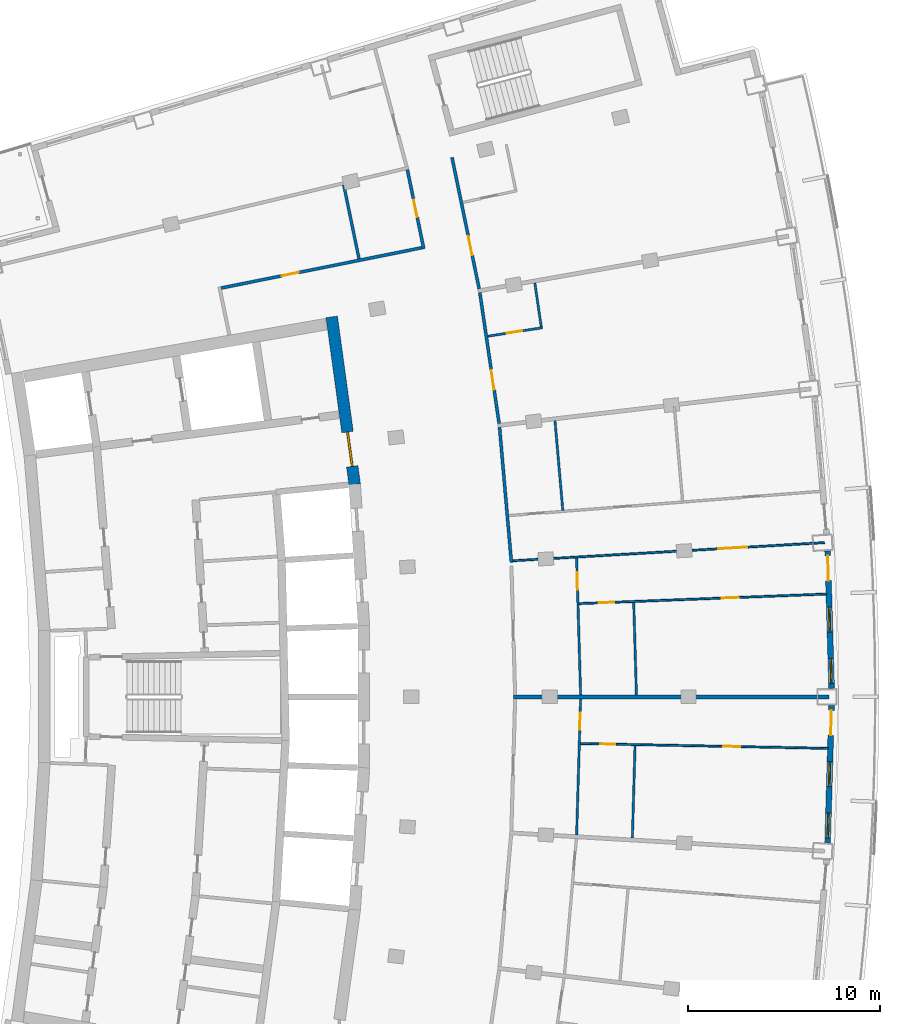
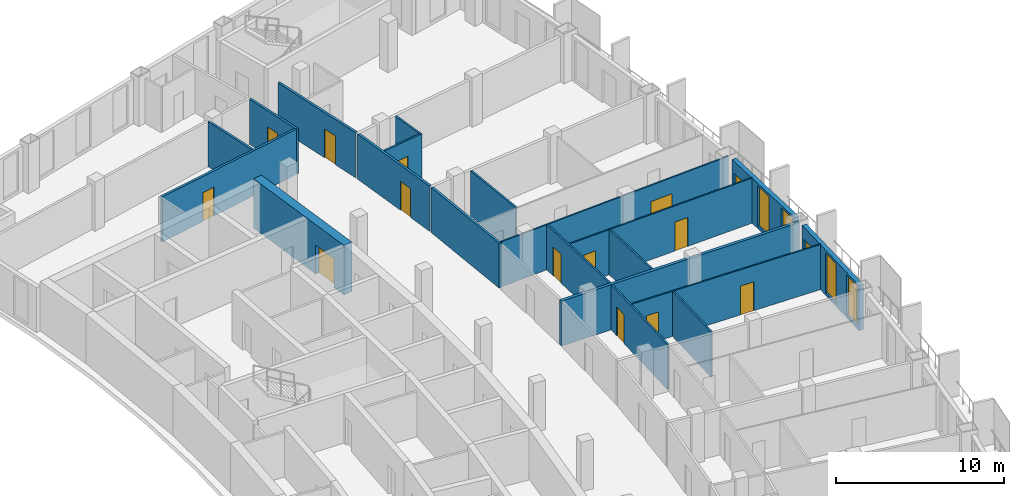
# One storey, part 13 of 18: 20 walls, 15 doors, 4 windows, 19 openings.
"""IFC4 building model written with IfcOpenShell, lengths in metres."""

import ifcopenshell
import ifcopenshell.guid

model = None  # the IFC model being written
_history = None  # IfcOwnerHistory: only IFC2X3 demands one
_inside = {}  # id of a spatial element -> (the spatial element, [elements in it])
_under = {}  # id of a project, library or spatial element -> (it, [spatial elements below it])
_declared = {}  # id of a project -> (the project, [libraries it declares])
_typed = {}  # id of a type object -> (the type object, [elements of that type])
_made_of = {}  # id of a material, layer set ... -> (it, [elements and type objects made of it])


def new_model(schema):
    """Start an empty IFC model of exactly this schema.

    Asked for "IFC4X3", IfcOpenShell would pick the latest addendum, in which some entities
    have other attributes; the version numbers below select the first issue.
    IFC2X3 requires an IfcOwnerHistory on every rooted entity: one is made here for all.
    """
    global model, _history
    if schema == "IFC4X3":
        model = ifcopenshell.file(schema_version=(4, 3, 0, 0))
    else:
        model = ifcopenshell.file(schema=schema)
    _inside.clear()
    _under.clear()
    _declared.clear()
    _typed.clear()
    _made_of.clear()
    _history = None
    if model.schema == "IFC2X3":
        org = make("IfcOrganization", Name="unknown")
        user = make(
            "IfcPersonAndOrganization",
            ThePerson=make("IfcPerson", FamilyName="unknown"),
            TheOrganization=org,
        )
        app = make(
            "IfcApplication",
            ApplicationDeveloper=org,
            Version="unknown",
            ApplicationFullName="unknown",
            ApplicationIdentifier="unknown",
        )
        _history = make(
            "IfcOwnerHistory",
            OwningUser=user,
            OwningApplication=app,
            ChangeAction="ADDED",
            CreationDate=0,
        )
    return model


def make(cls, **values):
    """One entity of the class cls with the attributes given. An attribute that is None is left unset."""
    return model.create_entity(
        cls, **{name: value for name, value in values.items() if value is not None}
    )


def rooted(cls, **values):
    """An entity with a GlobalId (a new one), such as an element, a storey or a relation."""
    return make(cls, GlobalId=ifcopenshell.guid.new(), OwnerHistory=_history, **values)


def si_unit(unit_type, name, prefix=None):
    """IfcSIUnit, for example si_unit("LENGTHUNIT", "METRE", prefix="MILLI")."""
    return make("IfcSIUnit", UnitType=unit_type, Prefix=prefix, Name=name)


def assignment(units):
    """IfcUnitAssignment: the units of a project."""
    return None if units is None else make("IfcUnitAssignment", Units=units)


def point(xyz):
    """IfcCartesianPoint."""
    return None if xyz is None else make("IfcCartesianPoint", Coordinates=xyz)


def direction(xyz):
    """IfcDirection."""
    return None if xyz is None else make("IfcDirection", DirectionRatios=xyz)


def frame(location, z_axis=None, x_axis=None):
    """IfcAxis2Placement3D, a coordinate frame: its origin and axes. An axis left out is left unset."""
    return make(
        "IfcAxis2Placement3D",
        Location=point(location),
        Axis=direction(z_axis),
        RefDirection=direction(x_axis),
    )


def frame_2d(location, x_axis=None):
    """IfcAxis2Placement2D, a coordinate frame in the plane: its origin and x axis."""
    return make(
        "IfcAxis2Placement2D", Location=point(location), RefDirection=direction(x_axis)
    )


def origin():
    """The frame at (0, 0, 0) with its axes left unset."""
    return frame((0.0, 0.0, 0.0))


def place(relative_to, where):
    """IfcLocalPlacement: puts the frame where relative to a parent placement (None: the world)."""
    return make(
        "IfcLocalPlacement", PlacementRelTo=relative_to, RelativePlacement=where
    )


def context(
    kind, dimensions, precision=None, world=None, true_north=None, identifier=None
):
    """IfcGeometricRepresentationContext, for example the 3D "Model" context."""
    return make(
        "IfcGeometricRepresentationContext",
        ContextIdentifier=identifier,
        ContextType=kind,
        CoordinateSpaceDimension=dimensions,
        Precision=precision,
        WorldCoordinateSystem=world,
        TrueNorth=true_north,
    )


def subcontext(parent, identifier, kind, view, scale=None):
    """IfcGeometricRepresentationSubContext, for example "Body" below "Model"."""
    return make(
        "IfcGeometricRepresentationSubContext",
        ContextIdentifier=identifier,
        ContextType=kind,
        ParentContext=parent,
        TargetScale=scale,
        TargetView=view,
    )


def project(units=None, contexts=None):
    """IfcProject with its units and contexts."""
    return rooted(
        "IfcProject",
        Name="project",
        RepresentationContexts=contexts,
        UnitsInContext=assignment(units),
    )


def spatial(cls, under=None, at=None, **own):
    """A site, building, storey or space (cls), placed at a placement, below another one or the project."""
    s = rooted(cls, ObjectPlacement=at, **own)
    if under is not None:
        _under.setdefault(under.id(), (under, []))[1].append(s)
    return s


def profile(cls, at=None, kind="AREA", **sizes):
    """A parametric profile (cls). Its sizes go by their IFC names, for example OverallWidth=200.0."""
    return make(cls, ProfileType=kind, Position=at, **sizes)


def rectangle(**sizes):
    """IfcRectangleProfileDef."""
    return profile("IfcRectangleProfileDef", **sizes)


def extrude(swept, where, along, depth):
    """IfcExtrudedAreaSolid: the profile swept, set in the frame where, extruded along a direction by depth."""
    return make(
        "IfcExtrudedAreaSolid",
        SweptArea=swept,
        Position=where,
        ExtrudedDirection=direction(along),
        Depth=depth,
    )


def shape(context_of_items, identifier, shape_type, items):
    """IfcShapeRepresentation: the items that make up one representation, for example the "Body"."""
    return make(
        "IfcShapeRepresentation",
        ContextOfItems=context_of_items,
        RepresentationIdentifier=identifier,
        RepresentationType=shape_type,
        Items=items,
    )


def material(Name=None, Category=None):
    """IfcMaterial."""
    return make("IfcMaterial", Name=Name, Category=Category)


def layer(
    of_material, thickness, ventilated=None, Name=None, Category=None, Priority=None
):
    """IfcMaterialLayer: one layer of a wall or slab, of a material (None: an air gap)."""
    return make(
        "IfcMaterialLayer",
        Material=of_material,
        LayerThickness=thickness,
        IsVentilated=ventilated,
        Name=Name,
        Category=Category,
        Priority=Priority,
    )


def layer_set(layers, Name=None):
    """IfcMaterialLayerSet."""
    return make("IfcMaterialLayerSet", MaterialLayers=layers, LayerSetName=Name)


def made_of(thing, what):
    """Note that an element or type object is made of a material, layer set ...; save() writes the relation."""
    if what is not None:
        _made_of.setdefault(what.id(), (what, []))[1].append(thing)
    return thing


def type_object(cls, material=None, **own):
    """A type object (cls), such as IfcWallType, which elements share."""
    return made_of(rooted(cls, **own), material)


def element(
    cls,
    number,
    at=None,
    inside=None,
    cuts=None,
    type_object=None,
    material=None,
    context=None,
    identifier="Body",
    shape_type=None,
    held_by="IfcProductDefinitionShape",
    body=None,
    shapes=None,
    **own,
):
    """One element of the class cls, such as IfcWall. Its Tag is "e" and its number.

    at: its placement. inside: the storey or other place that contains it. cuts: it is an
    opening in that element (IfcRelVoidsElement). A single representation is given by context,
    identifier, shape_type and body (its items); several are given by shapes. held_by: the class
    of the entity that holds the representations. save() writes the other relations.
    """
    e = rooted(cls, Tag="e%d" % number, ObjectPlacement=at, **own)
    if body is not None:
        shapes = [shape(context, identifier, shape_type, body)]
    if shapes is not None:
        e.Representation = make(held_by, Representations=shapes)
    if inside is not None:
        _inside.setdefault(inside.id(), (inside, []))[1].append(e)
    if cuts is not None:
        rooted(
            "IfcRelVoidsElement", RelatingBuildingElement=cuts, RelatedOpeningElement=e
        )
    if type_object is not None:
        _typed.setdefault(type_object.id(), (type_object, []))[1].append(e)
    return made_of(e, material)


def fill(opening, filler):
    """IfcRelFillsElement: the door or window that sits in an opening."""
    return rooted(
        "IfcRelFillsElement",
        RelatingOpeningElement=opening,
        RelatedBuildingElement=filler,
    )


def aggregate(whole, parts):
    """IfcRelAggregates: a whole, such as a stair, and the parts it consists of."""
    return rooted("IfcRelAggregates", RelatingObject=whole, RelatedObjects=parts)


def save(model, path):
    """Write the relations noted so far, then the file.

    IfcRelAggregates (storeys below a building ...), IfcRelContainedInSpatialStructure (elements
    in a storey), IfcRelDefinesByType, IfcRelAssociatesMaterial and IfcRelDeclares: one each for
    every whole, place, type object, material and project.
    """
    for whole, parts in _under.values():
        aggregate(whole, parts)
    for where, things in _inside.values():
        rooted(
            "IfcRelContainedInSpatialStructure",
            RelatedElements=things,
            RelatingStructure=where,
        )
    for kind, things in _typed.values():
        rooted("IfcRelDefinesByType", RelatedObjects=things, RelatingType=kind)
    for what, things in _made_of.values():
        rooted("IfcRelAssociatesMaterial", RelatedObjects=things, RelatingMaterial=what)
    for by, libraries in _declared.values():
        rooted("IfcRelDeclares", RelatingContext=by, RelatedDefinitions=libraries)
    model.write(path)


model = new_model("IFC4")

# Units and contexts
model_context = context("Model", 3, precision=1e-05, world=origin(), true_north=direction((0.0, 1.0)))
body_context = subcontext(model_context, "Body", "Model", "MODEL_VIEW")
ifc_project = project(units=[si_unit("LENGTHUNIT", "METRE"), si_unit("AREAUNIT", "SQUARE_METRE"), si_unit("VOLUMEUNIT", "CUBIC_METRE"), si_unit("PLANEANGLEUNIT", "RADIAN"), si_unit("MASSUNIT", "GRAM", prefix="KILO")], contexts=[model_context])

# Site, building, storey
site_placement = place(None, origin())
site = spatial("IfcSite", under=ifc_project, at=site_placement, CompositionType="ELEMENT")
building_placement = place(site_placement, origin())
building = spatial("IfcBuilding", under=site, at=building_placement, Name="Alderwake Tower", CompositionType="ELEMENT")
storey_placement = place(building_placement, frame((0.0, 0.0, 225.199951171875)))
storey = spatial("IfcBuildingStorey", under=building, at=storey_placement, Name="L56", CompositionType="ELEMENT", Elevation=225.199951171875)

# Wall, opening, door
ifc_material_1 = material(Name="Concrete C70/85", Category="concrete")
ifc_layer_1 = layer(ifc_material_1, 0.60009765625)
ifc_layer_set_1 = layer_set([ifc_layer_1], Name="Core wall outer 600 C70-85")
wall_type_1 = type_object("IfcWallType", Name="Core wall outer 600 C70-85", PredefinedType="SHEAR", material=ifc_layer_set_1)
wall_1_placement = place(storey_placement, frame((31.66796875, 80.743896484375, 0.0), z_axis=(0.0, 0.0, 1.0), x_axis=(0.135856583698, -0.990728514108, 0.0)))
wall_1 = element("IfcWall", 1, at=wall_1_placement, inside=storey, type_object=wall_type_1, Name="Core wall CW.014", PredefinedType="SHEAR", context=body_context, shape_type="SweptSolid", body=[
    extrude(rectangle(XDim=8.79296875, YDim=0.60009765625, at=frame_2d((4.396484375, 0.0))), origin(), (0.0, 0.0, 1.0), 3.60009765625),
])
opening_1_placement = place(wall_1_placement, frame((6.038818359375, 0.0, 0.0)))
opening_1 = element("IfcOpeningElement", 2, at=opening_1_placement, cuts=wall_1, Name="Opening C001", PredefinedType="OPENING", context=body_context, shape_type="SweptSolid", body=[
    extrude(rectangle(XDim=1.800048828125, YDim=2.10009765625, at=frame_2d((0.89990234375, 1.050048828125))), frame((0.0, 0.31005859375, 0.0), z_axis=(0.0, -1.0, 0.0), x_axis=(1.0, 0.0, 0.0)), (0.0, 0.0, 1.0), 0.6201171875),
])
ifc_material_2 = material(Name="Steel-framed fire door leaves", Category="steel")
door_type_1 = type_object("IfcDoorType", Name="Core double door 1800 fire-rated", OperationType="DOUBLE_DOOR_SINGLE_SWING", PredefinedType="DOOR", material=ifc_material_2)
door_1_placement = place(opening_1_placement, origin())
door_1 = element("IfcDoor", 3, at=door_1_placement, inside=storey, type_object=door_type_1, Name="Lobby double door", OperationType="DOUBLE_DOOR_SINGLE_SWING", OverallHeight=2.10009765625, OverallWidth=1.800048828125, PredefinedType="DOOR", context=body_context, shape_type="SweptSolid", body=[
    extrude(rectangle(XDim=1.800048828125, YDim=2.10009765625, at=frame_2d((0.89990234375, 1.050048828125))), frame((0.0, 0.050048828125, 0.0), z_axis=(0.0, -1.0, 0.0), x_axis=(1.0, 0.0, 0.0)), (0.0, 0.0, 1.0), 0.10009765625),
])
fill(opening_1, door_1)

ifc_material_3 = material(Name="Gypsum board on metal studs, rated")
ifc_layer_2 = layer(ifc_material_3, 0.159912109375)
ifc_layer_set_2 = layer_set([ifc_layer_2], Name="Corridor wall 160")
wall_type_2 = type_object("IfcWallType", Name="Corridor wall 160", PredefinedType="PARTITIONING", material=ifc_layer_set_2)
wall_2_placement = place(storey_placement, frame((36.451416015625, 84.272705078125, 0.0), z_axis=(0.0, 0.0, 1.0), x_axis=(-0.20329833965, 0.979116839348, 0.0)))
wall_2 = element("IfcWall", 4, at=wall_2_placement, inside=storey, type_object=wall_type_2, Name="WL/L56/W19", PredefinedType="PARTITIONING", context=body_context, shape_type="SweptSolid", body=[
    extrude(rectangle(XDim=4.206787109375, YDim=0.159912109375, at=frame_2d((2.103515625, 0.0))), origin(), (0.0, 0.0, 1.0), 3.280029296875),
])
opening_2_placement = place(wall_2_placement, frame((1.69287109375, 0.0, 0.0)))
opening_2 = element("IfcOpeningElement", 5, at=opening_2_placement, cuts=wall_2, Name="Opening R16-SBN2", PredefinedType="OPENING", context=body_context, shape_type="SweptSolid", body=[
    extrude(rectangle(XDim=0.89990234375, YDim=2.10009765625, at=frame_2d((0.449951171875, 1.050048828125))), frame((0.0, 0.08984375, 0.0), z_axis=(0.0, -1.0, 0.0), x_axis=(1.0, 0.0, 0.0)), (0.0, 0.0, 1.0), 0.179931640625),
])
ifc_material_4 = material(Name="Painted timber leaf", Category="wood")
door_type_2 = type_object("IfcDoorType", Name="Room door 900", OperationType="SINGLE_SWING_LEFT", PredefinedType="DOOR", material=ifc_material_4)
door_2_placement = place(opening_2_placement, origin())
door_2 = element("IfcDoor", 6, at=door_2_placement, inside=storey, type_object=door_type_2, Name="DR/L56/SBN2", OperationType="SINGLE_SWING_LEFT", OverallHeight=2.10009765625, OverallWidth=0.89990234375, PredefinedType="DOOR", context=body_context, shape_type="SweptSolid", body=[
    extrude(rectangle(XDim=0.89990234375, YDim=2.10009765625, at=frame_2d((0.449951171875, 1.050048828125))), frame((0.0, 0.02490234375, 0.0), z_axis=(0.0, -1.0, 0.0), x_axis=(1.0, 0.0, 0.0)), (0.0, 0.0, 1.0), 0.050048828125),
])
fill(opening_2, door_2)

wall_3_placement = place(storey_placement, frame((25.926513671875, 82.24267578125, 0.0), z_axis=(0.0, 0.0, 1.0), x_axis=(0.98046310274, 0.196703086316, 0.0)))
wall_3 = element("IfcWall", 7, at=wall_3_placement, inside=storey, type_object=wall_type_2, Name="WL/L56/W21", PredefinedType="PARTITIONING", context=body_context, shape_type="SweptSolid", body=[
    extrude(rectangle(XDim=10.637939453125, YDim=0.159912109375, at=frame_2d((5.31884765625, 0.0))), origin(), (0.0, 0.0, 1.0), 3.280029296875),
])
opening_3_placement = place(wall_3_placement, frame((3.208984375, 0.0, 0.0)))
opening_3 = element("IfcOpeningElement", 8, at=opening_3_placement, cuts=wall_3, Name="Opening R16-SBN1", PredefinedType="OPENING", context=body_context, shape_type="SweptSolid", body=[
    extrude(rectangle(XDim=0.89990234375, YDim=2.10009765625, at=frame_2d((0.449951171875, 1.050048828125))), frame((0.0, 0.08984375, 0.0), z_axis=(0.0, -1.0, 0.0), x_axis=(1.0, 0.0, 0.0)), (0.0, 0.0, 1.0), 0.179931640625),
])
door_3_placement = place(opening_3_placement, origin())
door_3 = element("IfcDoor", 9, at=door_3_placement, inside=storey, type_object=door_type_2, Name="DR/L56/SBN1", OperationType="SINGLE_SWING_LEFT", OverallHeight=2.10009765625, OverallWidth=0.89990234375, PredefinedType="DOOR", context=body_context, shape_type="SweptSolid", body=[
    extrude(rectangle(XDim=0.89990234375, YDim=2.10009765625, at=frame_2d((0.449951171875, 1.050048828125))), frame((0.0, 0.02490234375, 0.0), z_axis=(0.0, -1.0, 0.0), x_axis=(1.0, 0.0, 0.0)), (0.0, 0.0, 1.0), 0.050048828125),
])
fill(opening_3, door_3)

wall_4_placement = place(storey_placement, frame((37.9169921875, 89.02490234375, 0.0), z_axis=(0.0, 0.0, 1.0), x_axis=(0.202416809878, -0.97929946139, 0.0)))
wall_4 = element("IfcWall", 10, at=wall_4_placement, inside=storey, type_object=wall_type_2, Name="WL/L56/W24", PredefinedType="PARTITIONING", context=body_context, shape_type="SweptSolid", body=[
    extrude(rectangle(XDim=6.97021484375, YDim=0.159912109375, at=frame_2d((3.485107421875, 0.0))), origin(), (0.0, 0.0, 1.0), 3.280029296875),
])
opening_4_placement = place(wall_4_placement, frame((4.187255859375, 0.0, 0.0)))
opening_4 = element("IfcOpeningElement", 11, at=opening_4_placement, cuts=wall_4, Name="Opening R16-U08.1", PredefinedType="OPENING", context=body_context, shape_type="SweptSolid", body=[
    extrude(rectangle(XDim=1.0, YDim=2.10009765625, at=frame_2d((0.5, 1.050048828125))), frame((0.0, 0.08984375, 0.0), z_axis=(0.0, -1.0, 0.0), x_axis=(1.0, 0.0, 0.0)), (0.0, 0.0, 1.0), 0.179931640625),
])
ifc_material_5 = material(Name="Solid timber leaf in steel frame", Category="steel")
door_type_3 = type_object("IfcDoorType", Name="Flat entrance door 1000 fire-rated", OperationType="SINGLE_SWING_LEFT", PredefinedType="DOOR", material=ifc_material_5)
door_4_placement = place(opening_4_placement, origin())
door_4 = element("IfcDoor", 12, at=door_4_placement, inside=storey, type_object=door_type_3, Name="DR/L56/U08.1", OperationType="SINGLE_SWING_LEFT", OverallHeight=2.10009765625, OverallWidth=1.0, PredefinedType="DOOR", context=body_context, shape_type="SweptSolid", body=[
    extrude(rectangle(XDim=1.0, YDim=2.10009765625, at=frame_2d((0.5, 1.050048828125))), frame((0.0, 0.02490234375, 0.0), z_axis=(0.0, -1.0, 0.0), x_axis=(1.0, 0.0, 0.0)), (0.0, 0.0, 1.0), 0.050048828125),
])
fill(opening_4, door_4)

wall_5_placement = place(storey_placement, frame((39.362548828125, 82.001953125, 0.0), z_axis=(0.0, 0.0, 1.0), x_axis=(0.145565626222, -0.98934859805, 0.0)))
wall_5 = element("IfcWall", 13, at=wall_5_placement, inside=storey, type_object=wall_type_2, Name="WL/L56/W26", PredefinedType="PARTITIONING", context=body_context, shape_type="SweptSolid", body=[
    extrude(rectangle(XDim=6.8681640625, YDim=0.159912109375, at=frame_2d((3.43408203125, 0.0))), origin(), (0.0, 0.0, 1.0), 3.280029296875),
])
opening_5_placement = place(wall_5_placement, frame((4.08544921875, 0.0, 0.0)))
opening_5 = element("IfcOpeningElement", 14, at=opening_5_placement, cuts=wall_5, Name="Opening R16-U07.1", PredefinedType="OPENING", context=body_context, shape_type="SweptSolid", body=[
    extrude(rectangle(XDim=1.0, YDim=2.10009765625, at=frame_2d((0.5, 1.050048828125))), frame((0.0, 0.08984375, 0.0), z_axis=(0.0, -1.0, 0.0), x_axis=(1.0, 0.0, 0.0)), (0.0, 0.0, 1.0), 0.179931640625),
])
door_5_placement = place(opening_5_placement, origin())
door_5 = element("IfcDoor", 15, at=door_5_placement, inside=storey, type_object=door_type_3, Name="DR/L56/U07.1", OperationType="SINGLE_SWING_LEFT", OverallHeight=2.10009765625, OverallWidth=1.0, PredefinedType="DOOR", context=body_context, shape_type="SweptSolid", body=[
    extrude(rectangle(XDim=1.0, YDim=2.10009765625, at=frame_2d((0.5, 1.050048828125))), frame((0.0, 0.02490234375, 0.0), z_axis=(0.0, -1.0, 0.0), x_axis=(1.0, 0.0, 0.0)), (0.0, 0.0, 1.0), 0.050048828125),
])
fill(opening_5, door_5)

# Wall
wall_6_placement = place(storey_placement, frame((41.001953125, 67.9873046875, 0.0), z_axis=(0.0, 0.0, 1.0), x_axis=(-0.087430787456, 0.996170596537, 0.0)))
element("IfcWall", 16, at=wall_6_placement, inside=storey, type_object=wall_type_2, Name="WL/L56/W28", PredefinedType="PARTITIONING", context=body_context, shape_type="SweptSolid", body=[
    extrude(rectangle(XDim=7.048095703125, YDim=0.159912109375, at=frame_2d((3.52392578125, 0.0))), origin(), (0.0, 0.0, 1.0), 3.280029296875),
])

# Wall, openings, door, windows
ifc_material_6 = material(Name="Precast concrete C50/60 spandrel panel", Category="concrete")
ifc_layer_3 = layer(ifc_material_6, 0.300048828125)
ifc_layer_set_3 = layer_set([ifc_layer_3], Name="External wall EW1 Precast concrete C50/60 spandrel")
wall_type_3 = type_object("IfcWallType", Name="External wall EW1 Precast concrete C50/60 spandrel", PredefinedType="SOLIDWALL", material=ifc_layer_set_3)
wall_7_placement = place(storey_placement, frame((57.428955078125, 53.422119140625, 0.0), z_axis=(0.0, 0.0, 1.0), x_axis=(0.029158685433, 0.999574795132, 0.0)))
wall_7 = element("IfcWall", 17, at=wall_7_placement, inside=storey, type_object=wall_type_3, Name="External wall 15", PredefinedType="SOLIDWALL", context=body_context, shape_type="SweptSolid", body=[
    extrude(rectangle(XDim=7.133544921875, YDim=0.300048828125, at=frame_2d((3.56689453125, 0.0))), origin(), (0.0, 0.0, 1.0), 3.280029296875),
])
opening_6_placement = place(wall_7_placement, frame((0.24560546875, 0.0, 0.199951171875)))
opening_6 = element("IfcOpeningElement", 18, at=opening_6_placement, cuts=wall_7, Name="Opening W1", PredefinedType="OPENING", context=body_context, shape_type="SweptSolid", body=[
    extrude(rectangle(XDim=1.300048828125, YDim=2.89990234375, at=frame_2d((0.64990234375, 1.449951171875))), frame((0.0, 0.159912109375, 0.0), z_axis=(0.0, -1.0, 0.0), x_axis=(1.0, 0.0, 0.0)), (0.0, 0.0, 1.0), 0.320068359375),
])
opening_7_placement = place(wall_7_placement, frame((2.916748046875, 0.0, 0.199951171875)))
opening_7 = element("IfcOpeningElement", 19, at=opening_7_placement, cuts=wall_7, Name="Opening W1", PredefinedType="OPENING", context=body_context, shape_type="SweptSolid", body=[
    extrude(rectangle(XDim=1.300048828125, YDim=2.89990234375, at=frame_2d((0.64990234375, 1.449951171875))), frame((0.0, 0.159912109375, 0.0), z_axis=(0.0, -1.0, 0.0), x_axis=(1.0, 0.0, 0.0)), (0.0, 0.0, 1.0), 0.320068359375),
])
opening_8_placement = place(wall_7_placement, frame((5.588134765625, 0.0, 0.0)))
opening_8 = element("IfcOpeningElement", 20, at=opening_8_placement, cuts=wall_7, Name="Opening D04", PredefinedType="OPENING", context=body_context, shape_type="SweptSolid", body=[
    extrude(rectangle(XDim=1.300048828125, YDim=2.39990234375, at=frame_2d((0.64990234375, 1.199951171875))), frame((0.0, 0.159912109375, 0.0), z_axis=(0.0, -1.0, 0.0), x_axis=(1.0, 0.0, 0.0)), (0.0, 0.0, 1.0), 0.320068359375),
])
ifc_material_7 = material(Name="Bronze tinted glass in aluminium frame", Category="aluminium")
door_type_4 = type_object("IfcDoorType", Name="Balcony door BD sliding", OperationType="SLIDING_TO_LEFT", PredefinedType="DOOR", material=ifc_material_7)
door_6_placement = place(opening_8_placement, origin())
door_6 = element("IfcDoor", 21, at=door_6_placement, inside=storey, type_object=door_type_4, Name="Door D04", OperationType="SLIDING_TO_LEFT", OverallHeight=2.39990234375, OverallWidth=1.300048828125, PredefinedType="DOOR", context=body_context, shape_type="SweptSolid", body=[
    extrude(rectangle(XDim=1.300048828125, YDim=2.39990234375, at=frame_2d((0.64990234375, 1.199951171875))), frame((0.0, 0.02490234375, 0.0), z_axis=(0.0, -1.0, 0.0), x_axis=(1.0, 0.0, 0.0)), (0.0, 0.0, 1.0), 0.050048828125),
])
fill(opening_8, door_6)
ifc_material_8 = material(Name="Bronze tinted glass in aluminium frame", Category="aluminium")
window_type = type_object("IfcWindowType", Name="Window W1 tall fixed and vent", PartitioningType="DOUBLE_PANEL_VERTICAL", PredefinedType="WINDOW", material=ifc_material_8)
window_1_placement = place(opening_6_placement, origin())
window_1 = element("IfcWindow", 22, at=window_1_placement, inside=storey, type_object=window_type, Name="Window W1 tall fixed and vent", OverallHeight=2.89990234375, OverallWidth=1.300048828125, PartitioningType="DOUBLE_PANEL_VERTICAL", PredefinedType="WINDOW", context=body_context, shape_type="SweptSolid", body=[
    extrude(rectangle(XDim=1.300048828125, YDim=2.89990234375, at=frame_2d((0.64990234375, 1.449951171875))), frame((0.0, 0.030029296875, 0.0), z_axis=(0.0, -1.0, 0.0), x_axis=(1.0, 0.0, 0.0)), (0.0, 0.0, 1.0), 0.06005859375),
])
fill(opening_6, window_1)
window_2_placement = place(opening_7_placement, origin())
window_2 = element("IfcWindow", 23, at=window_2_placement, inside=storey, type_object=window_type, Name="Window W1 tall fixed and vent", OverallHeight=2.89990234375, OverallWidth=1.300048828125, PartitioningType="DOUBLE_PANEL_VERTICAL", PredefinedType="WINDOW", context=body_context, shape_type="SweptSolid", body=[
    extrude(rectangle(XDim=1.300048828125, YDim=2.89990234375, at=frame_2d((0.64990234375, 1.449951171875))), frame((0.0, 0.030029296875, 0.0), z_axis=(0.0, -1.0, 0.0), x_axis=(1.0, 0.0, 0.0)), (0.0, 0.0, 1.0), 0.06005859375),
])
fill(opening_7, window_2)

wall_8_placement = place(storey_placement, frame((57.636962890625, 61.447265625, 0.0), z_axis=(0.0, 0.0, 1.0), x_axis=(-0.029158685433, 0.999574795132, 0.0)))
wall_8 = element("IfcWall", 24, at=wall_8_placement, inside=storey, type_object=wall_type_3, Name="External wall 16", PredefinedType="SOLIDWALL", context=body_context, shape_type="SweptSolid", body=[
    extrude(rectangle(XDim=7.133544921875, YDim=0.300048828125, at=frame_2d((3.56689453125, 0.0))), origin(), (0.0, 0.0, 1.0), 3.280029296875),
])
opening_9_placement = place(wall_8_placement, frame((0.24560546875, 0.0, 0.199951171875)))
opening_9 = element("IfcOpeningElement", 25, at=opening_9_placement, cuts=wall_8, Name="Opening W1", PredefinedType="OPENING", context=body_context, shape_type="SweptSolid", body=[
    extrude(rectangle(XDim=1.300048828125, YDim=2.89990234375, at=frame_2d((0.64990234375, 1.449951171875))), frame((0.0, 0.159912109375, 0.0), z_axis=(0.0, -1.0, 0.0), x_axis=(1.0, 0.0, 0.0)), (0.0, 0.0, 1.0), 0.320068359375),
])
opening_10_placement = place(wall_8_placement, frame((2.916748046875, 0.0, 0.199951171875)))
opening_10 = element("IfcOpeningElement", 26, at=opening_10_placement, cuts=wall_8, Name="Opening W1", PredefinedType="OPENING", context=body_context, shape_type="SweptSolid", body=[
    extrude(rectangle(XDim=1.300048828125, YDim=2.89990234375, at=frame_2d((0.64990234375, 1.449951171875))), frame((0.0, 0.159912109375, 0.0), z_axis=(0.0, -1.0, 0.0), x_axis=(1.0, 0.0, 0.0)), (0.0, 0.0, 1.0), 0.320068359375),
])
opening_11_placement = place(wall_8_placement, frame((5.588134765625, 0.0, 0.0)))
opening_11 = element("IfcOpeningElement", 27, at=opening_11_placement, cuts=wall_8, Name="Opening D05", PredefinedType="OPENING", context=body_context, shape_type="SweptSolid", body=[
    extrude(rectangle(XDim=1.300048828125, YDim=2.39990234375, at=frame_2d((0.64990234375, 1.199951171875))), frame((0.0, 0.159912109375, 0.0), z_axis=(0.0, -1.0, 0.0), x_axis=(1.0, 0.0, 0.0)), (0.0, 0.0, 1.0), 0.320068359375),
])
door_7_placement = place(opening_11_placement, origin())
door_7 = element("IfcDoor", 28, at=door_7_placement, inside=storey, type_object=door_type_4, Name="Door D05", OperationType="SLIDING_TO_LEFT", OverallHeight=2.39990234375, OverallWidth=1.300048828125, PredefinedType="DOOR", context=body_context, shape_type="SweptSolid", body=[
    extrude(rectangle(XDim=1.300048828125, YDim=2.39990234375, at=frame_2d((0.64990234375, 1.199951171875))), frame((0.0, 0.02490234375, 0.0), z_axis=(0.0, -1.0, 0.0), x_axis=(1.0, 0.0, 0.0)), (0.0, 0.0, 1.0), 0.050048828125),
])
fill(opening_11, door_7)
window_3_placement = place(opening_9_placement, origin())
window_3 = element("IfcWindow", 29, at=window_3_placement, inside=storey, type_object=window_type, Name="Window W1 tall fixed and vent", OverallHeight=2.89990234375, OverallWidth=1.300048828125, PartitioningType="DOUBLE_PANEL_VERTICAL", PredefinedType="WINDOW", context=body_context, shape_type="SweptSolid", body=[
    extrude(rectangle(XDim=1.300048828125, YDim=2.89990234375, at=frame_2d((0.64990234375, 1.449951171875))), frame((0.0, 0.030029296875, 0.0), z_axis=(0.0, -1.0, 0.0), x_axis=(1.0, 0.0, 0.0)), (0.0, 0.0, 1.0), 0.06005859375),
])
fill(opening_9, window_3)
window_4_placement = place(opening_10_placement, origin())
window_4 = element("IfcWindow", 30, at=window_4_placement, inside=storey, type_object=window_type, Name="Window W1 tall fixed and vent", OverallHeight=2.89990234375, OverallWidth=1.300048828125, PartitioningType="DOUBLE_PANEL_VERTICAL", PredefinedType="WINDOW", context=body_context, shape_type="SweptSolid", body=[
    extrude(rectangle(XDim=1.300048828125, YDim=2.89990234375, at=frame_2d((0.64990234375, 1.449951171875))), frame((0.0, 0.030029296875, 0.0), z_axis=(0.0, -1.0, 0.0), x_axis=(1.0, 0.0, 0.0)), (0.0, 0.0, 1.0), 0.06005859375),
])
fill(opening_10, window_4)

# Walls
ifc_material_9 = material(Name="Dense block masonry wall", Category="masonry")
ifc_layer_4 = layer(ifc_material_9, 0.199951171875)
ifc_layer_set_4 = layer_set([ifc_layer_4], Name="Party wall 200")
wall_type_4 = type_object("IfcWallType", Name="Party wall 200", PredefinedType="SOLIDWALL", material=ifc_layer_set_4)
wall_9_placement = place(storey_placement, frame((57.5009765625, 60.9990234375, 0.0), z_axis=(0.0, 0.0, 1.0), x_axis=(-1.0, 0.0, 0.0)))
element("IfcWall", 31, at=wall_9_placement, inside=storey, type_object=wall_type_4, Name="WL/L56/W05", PredefinedType="SOLIDWALL", context=body_context, shape_type="SweptSolid", body=[
    extrude(rectangle(XDim=16.382080078125, YDim=0.199951171875, at=frame_2d((8.19091796875, 0.0))), origin(), (0.0, 0.0, 1.0), 3.280029296875),
])
ifc_material_10 = material(Name="Gypsum shaft wall system, rated")
ifc_layer_5 = layer(ifc_material_10, 0.14990234375)
ifc_layer_set_5 = layer_set([ifc_layer_5], Name="Riser and shaft wall 150")
wall_type_5 = type_object("IfcWallType", Name="Riser and shaft wall 150", PredefinedType="PARTITIONING", material=ifc_layer_set_5)
wall_10_placement = place(storey_placement, frame((33.085693359375, 83.76025390625, 0.0), z_axis=(0.0, 0.0, 1.0), x_axis=(-0.2025562632, 0.97927062666, 0.0)))
element("IfcWall", 32, at=wall_10_placement, inside=storey, type_object=wall_type_5, Name="WL/L56/W07", PredefinedType="PARTITIONING", context=body_context, shape_type="SweptSolid", body=[
    extrude(rectangle(XDim=3.9267578125, YDim=0.14990234375, at=frame_2d((1.96337890625, 0.0))), origin(), (0.0, 0.0, 1.0), 3.280029296875),
])

# Wall, opening, door
ifc_material_11 = material(Name="Gypsum board on metal studs")
ifc_layer_6 = layer(ifc_material_11, 0.10009765625)
ifc_layer_set_6 = layer_set([ifc_layer_6], Name="Unit partition 100")
wall_type_6 = type_object("IfcWallType", Name="Unit partition 100", PredefinedType="PARTITIONING", material=ifc_layer_set_6)
wall_11_placement = place(storey_placement, frame((41.074951171875, 68.07177734375, 0.0), z_axis=(0.0, 0.0, 1.0), x_axis=(0.998308048932, 0.058146706166, 0.0)))
wall_11 = element("IfcWall", 33, at=wall_11_placement, inside=storey, type_object=wall_type_6, Name="WL/L56/W49", PredefinedType="PARTITIONING", context=body_context, shape_type="SweptSolid", body=[
    extrude(rectangle(XDim=16.219482421875, YDim=0.10009765625, at=frame_2d((8.10986328125, 0.0))), origin(), (0.0, 0.0, 1.0), 3.280029296875),
])
opening_12_placement = place(wall_11_placement, frame((10.692626953125, 0.0, 0.0)))
opening_12 = element("IfcOpeningElement", 34, at=opening_12_placement, cuts=wall_11, Name="Opening R16-U06.8", PredefinedType="OPENING", context=body_context, shape_type="SweptSolid", body=[
    extrude(rectangle(XDim=1.5, YDim=2.10009765625, at=frame_2d((0.75, 1.050048828125))), frame((0.0, 0.06005859375, 0.0), z_axis=(0.0, -1.0, 0.0), x_axis=(1.0, 0.0, 0.0)), (0.0, 0.0, 1.0), 0.1201171875),
])
ifc_material_12 = material(Name="Painted timber leaves", Category="wood")
door_type_5 = type_object("IfcDoorType", Name="Double leaf door 1500", OperationType="DOUBLE_DOOR_SINGLE_SWING", PredefinedType="DOOR", material=ifc_material_12)
door_8_placement = place(opening_12_placement, origin())
door_8 = element("IfcDoor", 35, at=door_8_placement, inside=storey, type_object=door_type_5, Name="DR/L56/U06.8", OperationType="DOUBLE_DOOR_SINGLE_SWING", OverallHeight=2.10009765625, OverallWidth=1.5, PredefinedType="DOOR", context=body_context, shape_type="SweptSolid", body=[
    extrude(rectangle(XDim=1.5, YDim=2.10009765625, at=frame_2d((0.75, 1.050048828125))), frame((0.0, 0.02490234375, 0.0), z_axis=(0.0, -1.0, 0.0), x_axis=(1.0, 0.0, 0.0)), (0.0, 0.0, 1.0), 0.050048828125),
])
fill(opening_12, door_8)

# Wall, openings, doors
wall_12_placement = place(storey_placement, frame((57.39306640625, 66.344970703125, 0.0), z_axis=(0.0, 0.0, 1.0), x_axis=(-0.999250217177, -0.038716966198, 0.0)))
wall_12 = element("IfcWall", 36, at=wall_12_placement, inside=storey, type_object=wall_type_6, Name="WL/L56/W52", PredefinedType="PARTITIONING", context=body_context, shape_type="SweptSolid", body=[
    extrude(rectangle(XDim=12.8828125, YDim=0.10009765625, at=frame_2d((6.44140625, 0.0))), origin(), (0.0, 0.0, 1.0), 3.280029296875),
])
opening_13_placement = place(wall_12_placement, frame((11.06396484375, 0.0, 0.0)))
opening_13 = element("IfcOpeningElement", 37, at=opening_13_placement, cuts=wall_12, Name="Opening R16-U06.3", PredefinedType="OPENING", context=body_context, shape_type="SweptSolid", body=[
    extrude(rectangle(XDim=0.800048828125, YDim=2.10009765625, at=frame_2d((0.39990234375, 1.050048828125))), frame((0.0, 0.06005859375, 0.0), z_axis=(0.0, -1.0, 0.0), x_axis=(1.0, 0.0, 0.0)), (0.0, 0.0, 1.0), 0.1201171875),
])
opening_14_placement = place(wall_12_placement, frame((4.57275390625, 0.0, 0.0)))
opening_14 = element("IfcOpeningElement", 38, at=opening_14_placement, cuts=wall_12, Name="Opening R16-U06.4", PredefinedType="OPENING", context=body_context, shape_type="SweptSolid", body=[
    extrude(rectangle(XDim=0.89990234375, YDim=2.10009765625, at=frame_2d((0.449951171875, 1.050048828125))), frame((0.0, 0.06005859375, 0.0), z_axis=(0.0, -1.0, 0.0), x_axis=(1.0, 0.0, 0.0)), (0.0, 0.0, 1.0), 0.1201171875),
])
ifc_material_13 = material(Name="Painted timber leaf", Category="wood")
door_type_6 = type_object("IfcDoorType", Name="Bathroom door 800", OperationType="SINGLE_SWING_LEFT", PredefinedType="DOOR", material=ifc_material_13)
door_9_placement = place(opening_13_placement, origin())
door_9 = element("IfcDoor", 39, at=door_9_placement, inside=storey, type_object=door_type_6, Name="DR/L56/U06.3", OperationType="SINGLE_SWING_LEFT", OverallHeight=2.10009765625, OverallWidth=0.800048828125, PredefinedType="DOOR", context=body_context, shape_type="SweptSolid", body=[
    extrude(rectangle(XDim=0.800048828125, YDim=2.10009765625, at=frame_2d((0.39990234375, 1.050048828125))), frame((0.0, 0.02490234375, 0.0), z_axis=(0.0, -1.0, 0.0), x_axis=(1.0, 0.0, 0.0)), (0.0, 0.0, 1.0), 0.050048828125),
])
fill(opening_13, door_9)
door_10_placement = place(opening_14_placement, origin())
door_10 = element("IfcDoor", 40, at=door_10_placement, inside=storey, type_object=door_type_2, Name="DR/L56/U06.4", OperationType="SINGLE_SWING_LEFT", OverallHeight=2.10009765625, OverallWidth=0.89990234375, PredefinedType="DOOR", context=body_context, shape_type="SweptSolid", body=[
    extrude(rectangle(XDim=0.89990234375, YDim=2.10009765625, at=frame_2d((0.449951171875, 1.050048828125))), frame((0.0, 0.02490234375, 0.0), z_axis=(0.0, -1.0, 0.0), x_axis=(1.0, 0.0, 0.0)), (0.0, 0.0, 1.0), 0.050048828125),
])
fill(opening_14, door_10)

wall_13_placement = place(storey_placement, frame((57.470947265625, 58.325927734375, 0.0), z_axis=(0.0, 0.0, 1.0), x_axis=(-0.999810260744, 0.019479284134, 0.0)))
wall_13 = element("IfcWall", 41, at=wall_13_placement, inside=storey, type_object=wall_type_6, Name="WL/L56/W53", PredefinedType="PARTITIONING", context=body_context, shape_type="SweptSolid", body=[
    extrude(rectangle(XDim=12.88427734375, YDim=0.10009765625, at=frame_2d((6.442138671875, 0.0))), origin(), (0.0, 0.0, 1.0), 3.280029296875),
])
opening_15_placement = place(wall_13_placement, frame((11.064697265625, 0.0, 0.0)))
opening_15 = element("IfcOpeningElement", 42, at=opening_15_placement, cuts=wall_13, Name="Opening R16-U05.3", PredefinedType="OPENING", context=body_context, shape_type="SweptSolid", body=[
    extrude(rectangle(XDim=0.800048828125, YDim=2.10009765625, at=frame_2d((0.39990234375, 1.050048828125))), frame((0.0, 0.06005859375, 0.0), z_axis=(0.0, -1.0, 0.0), x_axis=(1.0, 0.0, 0.0)), (0.0, 0.0, 1.0), 0.1201171875),
])
opening_16_placement = place(wall_13_placement, frame((4.57275390625, 0.0, 0.0)))
opening_16 = element("IfcOpeningElement", 43, at=opening_16_placement, cuts=wall_13, Name="Opening R16-U05.4", PredefinedType="OPENING", context=body_context, shape_type="SweptSolid", body=[
    extrude(rectangle(XDim=0.89990234375, YDim=2.10009765625, at=frame_2d((0.449951171875, 1.050048828125))), frame((0.0, 0.06005859375, 0.0), z_axis=(0.0, -1.0, 0.0), x_axis=(1.0, 0.0, 0.0)), (0.0, 0.0, 1.0), 0.1201171875),
])
door_11_placement = place(opening_15_placement, origin())
door_11 = element("IfcDoor", 44, at=door_11_placement, inside=storey, type_object=door_type_6, Name="DR/L56/U05.3", OperationType="SINGLE_SWING_LEFT", OverallHeight=2.10009765625, OverallWidth=0.800048828125, PredefinedType="DOOR", context=body_context, shape_type="SweptSolid", body=[
    extrude(rectangle(XDim=0.800048828125, YDim=2.10009765625, at=frame_2d((0.39990234375, 1.050048828125))), frame((0.0, 0.02490234375, 0.0), z_axis=(0.0, -1.0, 0.0), x_axis=(1.0, 0.0, 0.0)), (0.0, 0.0, 1.0), 0.050048828125),
])
fill(opening_15, door_11)
door_12_placement = place(opening_16_placement, origin())
door_12 = element("IfcDoor", 45, at=door_12_placement, inside=storey, type_object=door_type_2, Name="DR/L56/U05.4", OperationType="SINGLE_SWING_LEFT", OverallHeight=2.10009765625, OverallWidth=0.89990234375, PredefinedType="DOOR", context=body_context, shape_type="SweptSolid", body=[
    extrude(rectangle(XDim=0.89990234375, YDim=2.10009765625, at=frame_2d((0.449951171875, 1.050048828125))), frame((0.0, 0.02490234375, 0.0), z_axis=(0.0, -1.0, 0.0), x_axis=(1.0, 0.0, 0.0)), (0.0, 0.0, 1.0), 0.050048828125),
])
fill(opening_16, door_12)

# Wall, opening, door
ifc_material_14 = material(Name="Moisture resistant gypsum board on metal studs")
ifc_layer_7 = layer(ifc_material_14, 0.1201171875)
ifc_layer_set_7 = layer_set([ifc_layer_7], Name="Wet room partition 120")
wall_type_7 = type_object("IfcWallType", Name="Wet room partition 120", PredefinedType="PARTITIONING", material=ifc_layer_set_7)
wall_14_placement = place(storey_placement, frame((39.778076171875, 79.7373046875, 0.0), z_axis=(0.0, 0.0, 1.0), x_axis=(0.988012842758, 0.154371702541, 0.0)))
wall_14 = element("IfcWall", 46, at=wall_14_placement, inside=storey, type_object=wall_type_7, Name="WL/L56/W36", PredefinedType="PARTITIONING", context=body_context, shape_type="SweptSolid", body=[
    extrude(rectangle(XDim=2.876708984375, YDim=0.1201171875, at=frame_2d((1.4384765625, 0.0))), origin(), (0.0, 0.0, 1.0), 3.280029296875),
])
opening_17_placement = place(wall_14_placement, frame((1.0087890625, 0.0, 0.0)))
opening_17 = element("IfcOpeningElement", 47, at=opening_17_placement, cuts=wall_14, Name="Opening R16-U07.2", PredefinedType="OPENING", context=body_context, shape_type="SweptSolid", body=[
    extrude(rectangle(XDim=0.800048828125, YDim=2.10009765625, at=frame_2d((0.39990234375, 1.050048828125))), frame((0.0, 0.070068359375, 0.0), z_axis=(0.0, -1.0, 0.0), x_axis=(1.0, 0.0, 0.0)), (0.0, 0.0, 1.0), 0.14013671875),
])
door_13_placement = place(opening_17_placement, origin())
door_13 = element("IfcDoor", 48, at=door_13_placement, inside=storey, type_object=door_type_6, Name="DR/L56/U07.2", OperationType="SINGLE_SWING_LEFT", OverallHeight=2.10009765625, OverallWidth=0.800048828125, PredefinedType="DOOR", context=body_context, shape_type="SweptSolid", body=[
    extrude(rectangle(XDim=0.800048828125, YDim=2.10009765625, at=frame_2d((0.39990234375, 1.050048828125))), frame((0.0, 0.02490234375, 0.0), z_axis=(0.0, -1.0, 0.0), x_axis=(1.0, 0.0, 0.0)), (0.0, 0.0, 1.0), 0.050048828125),
])
fill(opening_17, door_13)

# Walls
wall_15_placement = place(storey_placement, frame((42.55224609375, 80.2314453125, 0.0), z_axis=(0.0, 0.0, 1.0), x_axis=(-0.144984056833, 0.989433991363, 0.0)))
element("IfcWall", 49, at=wall_15_placement, inside=storey, type_object=wall_type_7, Name="WL/L56/W38", PredefinedType="PARTITIONING", context=body_context, shape_type="SweptSolid", body=[
    extrude(rectangle(XDim=2.302001953125, YDim=0.1201171875, at=frame_2d((1.15087890625, 0.0))), origin(), (0.0, 0.0, 1.0), 3.280029296875),
])
wall_16_placement = place(storey_placement, frame((43.672607421875, 70.687744140625, 0.0), z_axis=(0.0, 0.0, 1.0), x_axis=(-0.087010256841, 0.996207415755, 0.0)))
element("IfcWall", 50, at=wall_16_placement, inside=storey, type_object=wall_type_7, Name="WL/L56/W40", PredefinedType="PARTITIONING", context=body_context, shape_type="SweptSolid", body=[
    extrude(rectangle(XDim=4.677490234375, YDim=0.1201171875, at=frame_2d((2.3388671875, 0.0))), origin(), (0.0, 0.0, 1.0), 3.280029296875),
])

# Wall, opening, door
wall_17_placement = place(storey_placement, frame((44.59814453125, 60.89892578125, 0.0), z_axis=(0.0, 0.0, 1.0), x_axis=(-0.029334069975, -0.999569663575, 0.0)))
wall_17 = element("IfcWall", 51, at=wall_17_placement, inside=storey, type_object=wall_type_7, Name="WL/L56/W42", PredefinedType="PARTITIONING", context=body_context, shape_type="SweptSolid", body=[
    extrude(rectangle(XDim=7.06591796875, YDim=0.1201171875, at=frame_2d((3.532958984375, 0.0))), origin(), (0.0, 0.0, 1.0), 3.280029296875),
])
opening_18_placement = place(wall_17_placement, frame((0.710693359375, 0.0, 0.0)))
opening_18 = element("IfcOpeningElement", 52, at=opening_18_placement, cuts=wall_17, Name="Opening R16-U05.2", PredefinedType="OPENING", context=body_context, shape_type="SweptSolid", body=[
    extrude(rectangle(XDim=0.89990234375, YDim=2.10009765625, at=frame_2d((0.449951171875, 1.050048828125))), frame((0.0, 0.070068359375, 0.0), z_axis=(0.0, -1.0, 0.0), x_axis=(1.0, 0.0, 0.0)), (0.0, 0.0, 1.0), 0.14013671875),
])
door_14_placement = place(opening_18_placement, origin())
door_14 = element("IfcDoor", 53, at=door_14_placement, inside=storey, type_object=door_type_2, Name="DR/L56/U05.2", OperationType="SINGLE_SWING_LEFT", OverallHeight=2.10009765625, OverallWidth=0.89990234375, PredefinedType="DOOR", context=body_context, shape_type="SweptSolid", body=[
    extrude(rectangle(XDim=0.89990234375, YDim=2.10009765625, at=frame_2d((0.449951171875, 1.050048828125))), frame((0.0, 0.02490234375, 0.0), z_axis=(0.0, -1.0, 0.0), x_axis=(1.0, 0.0, 0.0)), (0.0, 0.0, 1.0), 0.050048828125),
])
fill(opening_18, door_14)

wall_18_placement = place(storey_placement, frame((44.389404296875, 68.215087890625, 0.0), z_axis=(0.0, 0.0, 1.0), x_axis=(0.029321452598, -0.999570033773, 0.0)))
wall_18 = element("IfcWall", 54, at=wall_18_placement, inside=storey, type_object=wall_type_7, Name="WL/L56/W43", PredefinedType="PARTITIONING", context=body_context, shape_type="SweptSolid", body=[
    extrude(rectangle(XDim=7.119140625, YDim=0.1201171875, at=frame_2d((3.5595703125, 0.0))), origin(), (0.0, 0.0, 1.0), 3.280029296875),
])
opening_19_placement = place(wall_18_placement, frame((0.736572265625, 0.0, 0.0)))
opening_19 = element("IfcOpeningElement", 55, at=opening_19_placement, cuts=wall_18, Name="Opening R16-U06.2", PredefinedType="OPENING", context=body_context, shape_type="SweptSolid", body=[
    extrude(rectangle(XDim=0.89990234375, YDim=2.10009765625, at=frame_2d((0.449951171875, 1.050048828125))), frame((0.0, 0.070068359375, 0.0), z_axis=(0.0, -1.0, 0.0), x_axis=(1.0, 0.0, 0.0)), (0.0, 0.0, 1.0), 0.14013671875),
])
door_15_placement = place(opening_19_placement, origin())
door_15 = element("IfcDoor", 56, at=door_15_placement, inside=storey, type_object=door_type_2, Name="DR/L56/U06.2", OperationType="SINGLE_SWING_LEFT", OverallHeight=2.10009765625, OverallWidth=0.89990234375, PredefinedType="DOOR", context=body_context, shape_type="SweptSolid", body=[
    extrude(rectangle(XDim=0.89990234375, YDim=2.10009765625, at=frame_2d((0.449951171875, 1.050048828125))), frame((0.0, 0.02490234375, 0.0), z_axis=(0.0, -1.0, 0.0), x_axis=(1.0, 0.0, 0.0)), (0.0, 0.0, 1.0), 0.050048828125),
])
fill(opening_19, door_15)

# Walls
wall_19_placement = place(storey_placement, frame((47.285888671875, 53.66796875, 0.0), z_axis=(0.0, 0.0, 1.0), x_axis=(0.029063100448, 0.999577578876, 0.0)))
element("IfcWall", 57, at=wall_19_placement, inside=storey, type_object=wall_type_7, Name="WL/L56/W46", PredefinedType="PARTITIONING", context=body_context, shape_type="SweptSolid", body=[
    extrude(rectangle(XDim=4.804931640625, YDim=0.1201171875, at=frame_2d((2.40234375, 0.0))), origin(), (0.0, 0.0, 1.0), 3.280029296875),
])
wall_20_placement = place(storey_placement, frame((47.49609375, 61.09912109375, 0.0), z_axis=(0.0, 0.0, 1.0), x_axis=(-0.029045398498, 0.99957809341, 0.0)))
element("IfcWall", 58, at=wall_20_placement, inside=storey, type_object=wall_type_7, Name="WL/L56/W47", PredefinedType="PARTITIONING", context=body_context, shape_type="SweptSolid", body=[
    extrude(rectangle(XDim=4.807861328125, YDim=0.1201171875, at=frame_2d((2.40380859375, 0.0))), origin(), (0.0, 0.0, 1.0), 3.280029296875),
])

save(model, "model.ifc")
